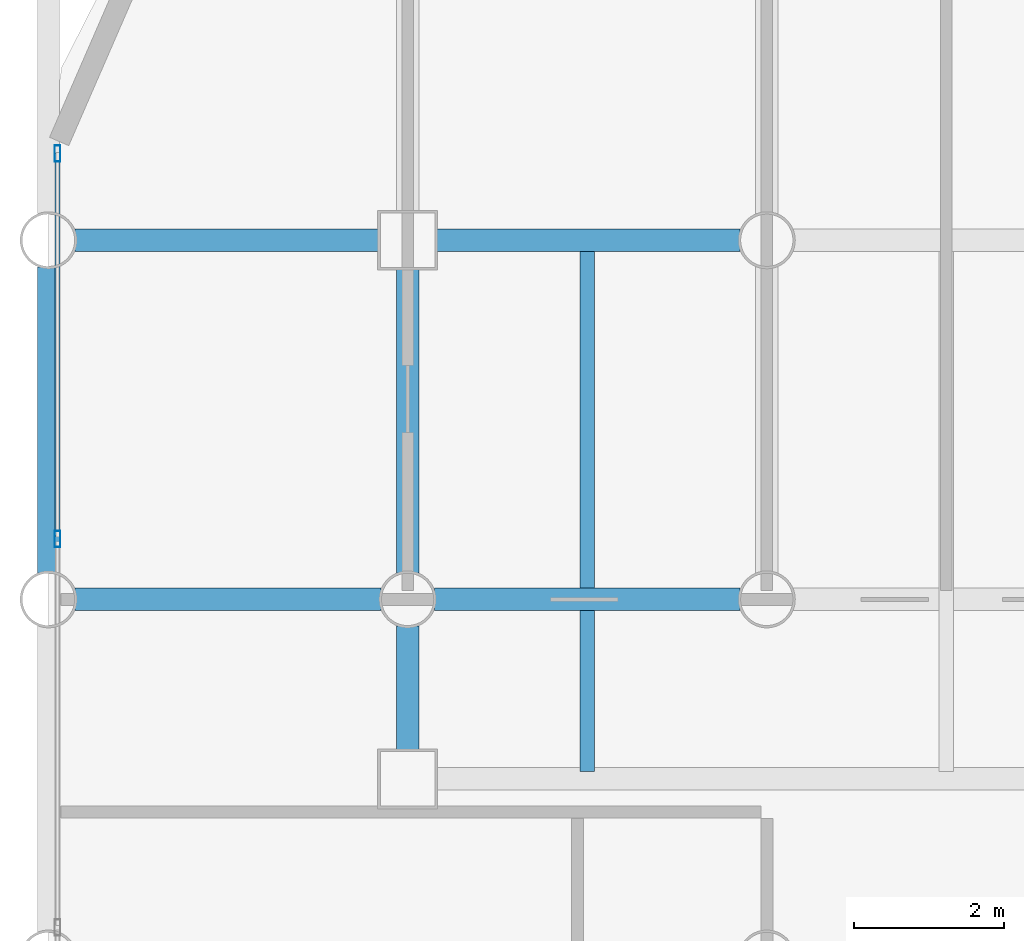
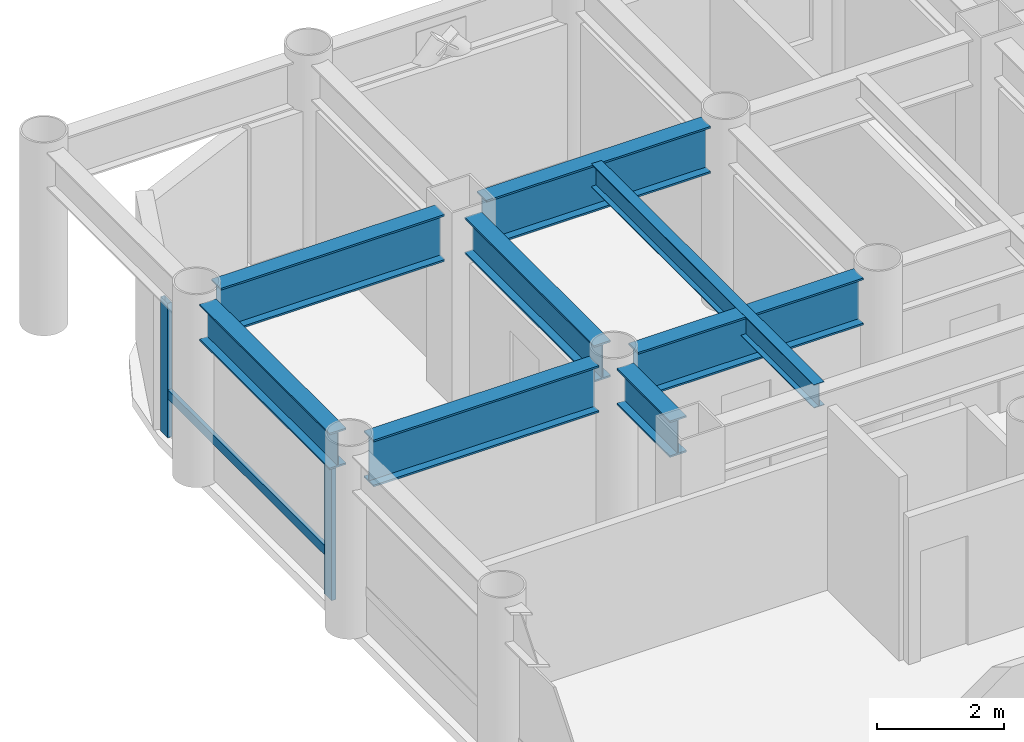
# One storey, part 9 of 20: 8 beams, 3 members, 1 element without a shape of its own.
"""IFC4 building model written with IfcOpenShell, lengths in metres."""

from ifc_helpers import new_model, si_unit, direction, frame, origin, origin_2d, place, context, subcontext, project, spatial, hollow_rectangle, i_section, extrude, material, layer, layer_set, material_profile, profile_set, type_object, element, aggregate, save


model = new_model("IFC4")

# Units and contexts
model_context = context("Model", 3, precision=1e-05, world=origin(), true_north=direction((0.0, 1.0)))
body_context = subcontext(model_context, "Body", "Model", "MODEL_VIEW")
ifc_project = project(units=[si_unit("LENGTHUNIT", "METRE"), si_unit("AREAUNIT", "SQUARE_METRE"), si_unit("VOLUMEUNIT", "CUBIC_METRE"), si_unit("PLANEANGLEUNIT", "RADIAN"), si_unit("MASSUNIT", "GRAM", prefix="KILO")], contexts=[model_context])

# Site, building, storey
site_placement = place(None, origin())
site = spatial("IfcSite", under=ifc_project, at=site_placement, CompositionType="ELEMENT")
building_placement = place(site_placement, origin())
building = spatial("IfcBuilding", under=site, at=building_placement, Name="Kallvorn Hotel Tower", CompositionType="ELEMENT")
storey_placement = place(building_placement, frame((0.0, 0.0, 70.699951171875)))
storey = spatial("IfcBuildingStorey", under=building, at=storey_placement, Name="L16", CompositionType="ELEMENT", Elevation=70.699951171875)

# Beams
ifc_material_1 = material(Name="Structural steel S355JR", Category="steel")
ifc_material_profile_1 = material_profile(ifc_material_1, i_section(OverallWidth=0.300048828125, OverallDepth=0.699951171875, WebThickness=0.01708984375, FlangeThickness=0.031982421875, at=origin_2d()), Name="HE 700 B")
ifc_profile_set_1 = profile_set([ifc_material_profile_1], Name="Structural steel S355JR")
beam_type_1 = type_object("IfcBeamType", Name="BM_HE700B", PredefinedType="BEAM", material=ifc_profile_set_1)
beam_1_placement = place(storey_placement, frame((-28.800048828125, 9.9560546875, 3.170166015625), z_axis=(0.0, 1.0, 0.0), x_axis=(-1.0, 0.0, 0.0)))
element("IfcBeam", 1, at=beam_1_placement, inside=storey, type_object=beam_type_1, Name="L17 Primary Y-Girder 79", PredefinedType="BEAM", context=body_context, shape_type="SweptSolid", body=[
    extrude(i_section(OverallWidth=0.300048828125, OverallDepth=0.699951171875, WebThickness=0.01708984375, FlangeThickness=0.031982421875, at=origin_2d()), origin(), (0.0, 0.0, 1.0), 4.087890625),
])
beam_2_placement = place(storey_placement, frame((-24.0, 7.574951171875, 3.170166015625), z_axis=(0.0, 1.0, 0.0), x_axis=(-1.0, 0.0, 0.0)))
element("IfcBeam", 2, at=beam_2_placement, inside=storey, type_object=beam_type_1, Name="L17 Primary Y-Girder 85", PredefinedType="BEAM", context=body_context, shape_type="SweptSolid", body=[
    extrude(i_section(OverallWidth=0.300048828125, OverallDepth=0.699951171875, WebThickness=0.01708984375, FlangeThickness=0.031982421875, at=origin_2d()), origin(), (0.0, 0.0, 1.0), 1.6689453125),
])
beam_3_placement = place(storey_placement, frame((-24.0, 9.9560546875, 3.170166015625), z_axis=(0.0, 1.0, 0.0), x_axis=(-1.0, 0.0, 0.0)))
element("IfcBeam", 3, at=beam_3_placement, inside=storey, type_object=beam_type_1, Name="L17 Primary Y-Girder 86", PredefinedType="BEAM", context=body_context, shape_type="SweptSolid", body=[
    extrude(i_section(OverallWidth=0.300048828125, OverallDepth=0.699951171875, WebThickness=0.01708984375, FlangeThickness=0.031982421875, at=origin_2d()), origin(), (0.0, 0.0, 1.0), 4.06884765625),
])
ifc_material_2 = material(Name="Structural steel S355JR", Category="steel")
ifc_material_profile_2 = material_profile(ifc_material_2, i_section(OverallWidth=0.300048828125, OverallDepth=0.89990234375, WebThickness=0.0185546875, FlangeThickness=0.034912109375, at=origin_2d()), Name="HE 900 B")
ifc_profile_set_2 = profile_set([ifc_material_profile_2], Name="Structural steel S355JR")
beam_type_2 = type_object("IfcBeamType", Name="BM_HE900B", PredefinedType="BEAM", material=ifc_profile_set_2)
for number, where, z_axis, x_axis, name in (
    (4, (-28.444091796875, 9.60009765625, 3.070068359375), (1.0, 0.0, 0.0), (0.0, 1.0, 0.0), "L17 Primary X-Girder 42"),
    (5, (-23.64404296875, 9.60009765625, 3.070068359375), (1.0, 0.0, 0.0), (0.0, 1.0, 0.0), "L17 Primary X-Girder 43"),
):
    element("IfcBeam", number, at=place(storey_placement, frame(where, z_axis=z_axis, x_axis=x_axis)), inside=storey, type_object=beam_type_2, Name=name, PredefinedType="BEAM", context=body_context, shape_type="SweptSolid", body=[
        extrude(i_section(OverallWidth=0.300048828125, OverallDepth=0.89990234375, WebThickness=0.0185546875, FlangeThickness=0.034912109375, at=origin_2d()), origin(), (0.0, 0.0, 1.0), 4.088134765625),
    ])
for number, where, z_axis, x_axis, name in (
    (6, (-28.444091796875, 14.39990234375, 3.070068359375), (1.0, 0.0, 0.0), (0.0, 1.0, 0.0), "L17 Primary X-Girder 51"),
    (7, (-23.625, 14.39990234375, 3.070068359375), (1.0, 0.0, 0.0), (0.0, 1.0, 0.0), "L17 Primary X-Girder 52"),
):
    element("IfcBeam", number, at=place(storey_placement, frame(where, z_axis=z_axis, x_axis=x_axis)), inside=storey, type_object=beam_type_2, Name=name, PredefinedType="BEAM", context=body_context, shape_type="SweptSolid", body=[
        extrude(i_section(OverallWidth=0.300048828125, OverallDepth=0.89990234375, WebThickness=0.0185546875, FlangeThickness=0.034912109375, at=origin_2d()), origin(), (0.0, 0.0, 1.0), 4.069091796875),
    ])
ifc_material_3 = material(Name="Structural steel S355JR", Category="steel")
ifc_material_profile_3 = material_profile(ifc_material_3, i_section(OverallWidth=0.18994140625, OverallDepth=0.449951171875, WebThickness=0.009521484375, FlangeThickness=0.0146484375, at=origin_2d()), Name="IPE 450")
ifc_profile_set_3 = profile_set([ifc_material_profile_3], Name="Structural steel S355JR")
beam_type_3 = type_object("IfcBeamType", Name="BM_IPE450", PredefinedType="JOIST", material=ifc_profile_set_3)
beam_4_placement = place(storey_placement, frame((-21.60009765625, 7.300048828125, 3.295166015625), z_axis=(0.0, 1.0, 0.0), x_axis=(-1.0, 0.0, 0.0)))
element("IfcBeam", 8, at=beam_4_placement, inside=storey, type_object=beam_type_3, Name="L17 Secondary Composite Joist 193", PredefinedType="JOIST", context=body_context, shape_type="SweptSolid", body=[
    extrude(i_section(OverallWidth=0.18994140625, OverallDepth=0.449951171875, WebThickness=0.009521484375, FlangeThickness=0.0146484375, at=origin_2d()), origin(), (0.0, 0.0, 1.0), 7.0),
])

# Curtain wall, members
ifc_material_4 = material(Name="Thermally broken black-anodised aluminium AA 6063-T6", Category="aluminium")
ifc_layer = layer(ifc_material_4, 0.199951171875)
ifc_layer_set = layer_set([ifc_layer], Name="CW_SYS_3_HOTEL_LOW")
curtain_wall_type = type_object("IfcCurtainWallType", Name="CW_SYS_3_HOTEL_LOW", PredefinedType="USERDEFINED", material=ifc_layer_set)
curtain_wall_placement = place(storey_placement, origin())
curtain_wall = element("IfcCurtainWall", 9, at=curtain_wall_placement, inside=storey, type_object=curtain_wall_type, Name="L16 Dark-Glass Curtain Wall CW-L16-WN", ObjectType="UNITISED CURTAIN WALL", PredefinedType="USERDEFINED")
ifc_material_5 = material(Name="Thermally broken black-anodised aluminium AA 6063-T6", Category="aluminium")
ifc_material_profile_4 = material_profile(ifc_material_5, hollow_rectangle(XDim=0.080078125, YDim=0.219970703125, WallThickness=0.0048828125, at=origin_2d()), Name="MUL 220x80")
ifc_profile_set_4 = profile_set([ifc_material_profile_4], Name="Thermally broken black-anodised aluminium AA 6063-T6")
member_type_1 = type_object("IfcMemberType", Name="CW_MULLION_220x80", PredefinedType="MULLION", material=ifc_profile_set_4)
member_1_placement = place(storey_placement, frame((-28.679931640625, 10.40673828125, 0.02001953125), z_axis=(0.0, 0.0, 1.0), x_axis=(1.0, 0.0, 0.0)))
member_1 = element("IfcMember", 10, at=member_1_placement, type_object=member_type_1, Name="CW-L16-WN Mullion 02", PredefinedType="MULLION", context=body_context, shape_type="SweptSolid", body=[
    extrude(hollow_rectangle(XDim=0.080078125, YDim=0.219970703125, WallThickness=0.0048828125, at=origin_2d()), origin(), (0.0, 0.0, 1.0), 2.580078125),
])
member_2_placement = place(storey_placement, frame((-28.679931640625, 15.56005859375, 0.02001953125), z_axis=(0.0, 0.0, 1.0), x_axis=(1.0, 0.0, 0.0)))
member_2 = element("IfcMember", 11, at=member_2_placement, type_object=member_type_1, Name="CW-L16-WN Mullion 03", PredefinedType="MULLION", context=body_context, shape_type="SweptSolid", body=[
    extrude(hollow_rectangle(XDim=0.080078125, YDim=0.219970703125, WallThickness=0.0048828125, at=origin_2d()), origin(), (0.0, 0.0, 1.0), 2.580078125),
])
ifc_material_6 = material(Name="Thermally broken black-anodised aluminium AA 6063-T6", Category="aluminium")
ifc_material_profile_5 = material_profile(ifc_material_6, hollow_rectangle(XDim=0.070068359375, YDim=0.179931640625, WallThickness=0.00390625, at=origin_2d()), Name="TRN 180x70")
ifc_profile_set_5 = profile_set([ifc_material_profile_5], Name="Thermally broken black-anodised aluminium AA 6063-T6")
member_type_2 = type_object("IfcMemberType", Name="CW_TRANSOM_180x70", PredefinedType="USERDEFINED", material=ifc_profile_set_5)
member_3_placement = place(storey_placement, frame((-28.679931640625, 10.44677734375, 0.85009765625), z_axis=(0.0, 1.0, 0.0), x_axis=(-1.0, 0.0, 0.0)))
member_3 = element("IfcMember", 12, at=member_3_placement, type_object=member_type_2, Name="CW-L16-WN Transom 02M", ObjectType="TRANSOM", PredefinedType="USERDEFINED", context=body_context, shape_type="SweptSolid", body=[
    extrude(hollow_rectangle(XDim=0.070068359375, YDim=0.179931640625, WallThickness=0.00390625, at=origin_2d()), origin(), (0.0, 0.0, 1.0), 5.11328125),
])
aggregate(curtain_wall, [member_1, member_2, member_3])

save(model, "model.ifc")
